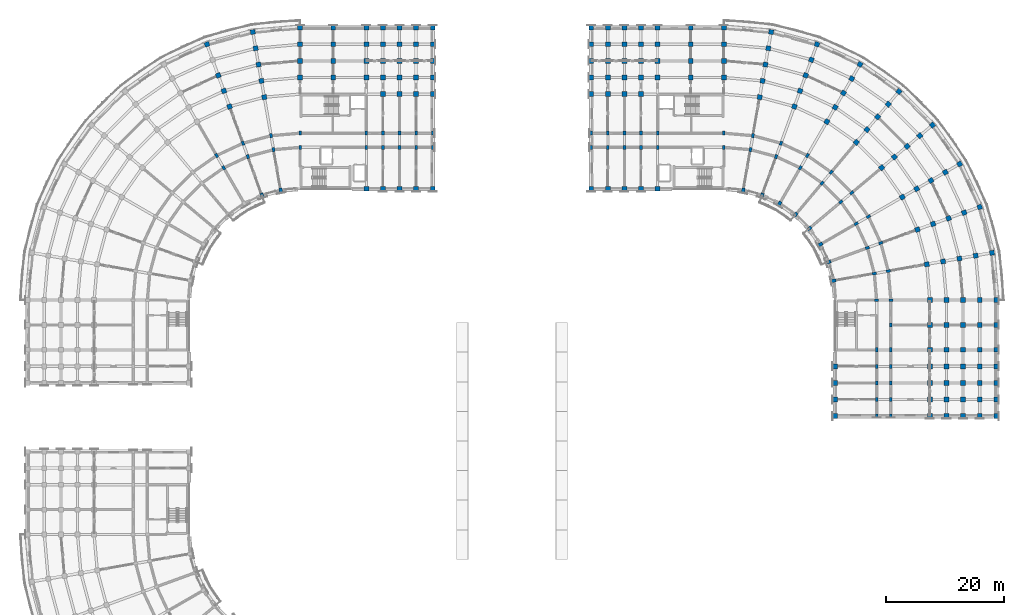
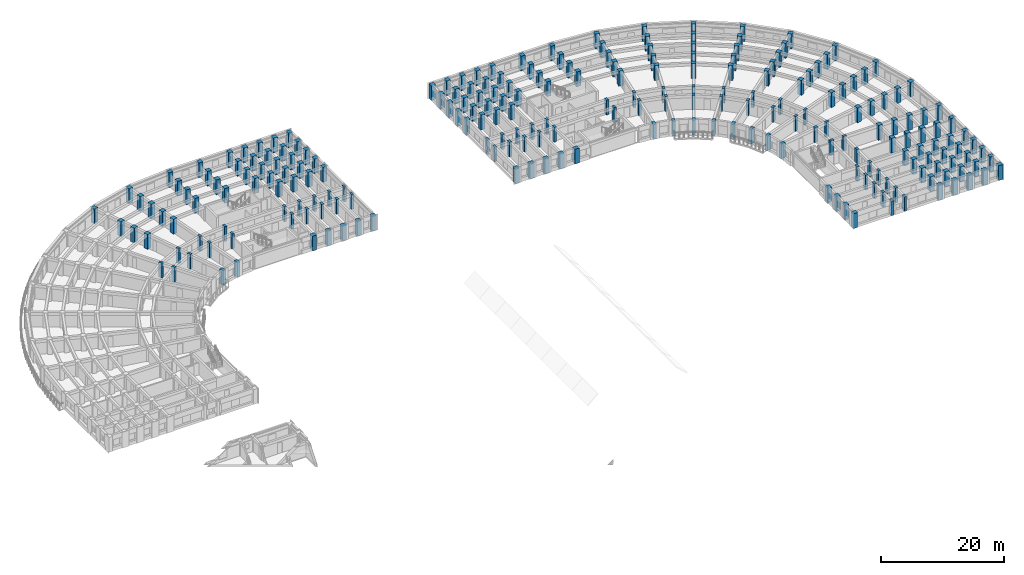
# One storey, part 2 of 54: 231 columns.
"""IFC4 building model written with IfcOpenShell, lengths in metres."""

from ifc_helpers import new_model, si_unit, direction, frame, origin, origin_2d, place, context, subcontext, project, spatial, rectangle, extrude, material, material_profile, profile_set, type_object, element, save


model = new_model("IFC4")

# Units and contexts
model_context = context("Model", 3, precision=1e-05, world=origin(), true_north=direction((0.0, 1.0)))
body_context = subcontext(model_context, "Body", "Model", "MODEL_VIEW")
ifc_project = project(units=[si_unit("LENGTHUNIT", "METRE"), si_unit("AREAUNIT", "SQUARE_METRE"), si_unit("VOLUMEUNIT", "CUBIC_METRE"), si_unit("PLANEANGLEUNIT", "RADIAN"), si_unit("MASSUNIT", "GRAM", prefix="KILO")], contexts=[model_context])

# Site, building, storey
site_placement = place(None, origin())
site = spatial("IfcSite", under=ifc_project, at=site_placement, CompositionType="ELEMENT")
building_placement = place(site_placement, origin())
building = spatial("IfcBuilding", under=site, at=building_placement, Name="Kiranvali Square Residences", CompositionType="ELEMENT")
storey_placement = place(building_placement, frame((0.0, 0.0, 11.85009765625)))
storey = spatial("IfcBuildingStorey", under=building, at=storey_placement, Name="L03", CompositionType="ELEMENT", Elevation=11.85009765625)

# Columns
ifc_material_1 = material(Name="Concrete M45 (45 MPa)", Category="concrete")
ifc_material_profile_1 = material_profile(ifc_material_1, rectangle(XDim=0.449951171875, YDim=0.699951171875, at=origin_2d()), Name="RC 700x450")
ifc_profile_set_1 = profile_set([ifc_material_profile_1], Name="Concrete M45 (45 MPa)")
column_type_1 = type_object("IfcColumnType", Name="COL-M45-700x450", PredefinedType="COLUMN", material=ifc_profile_set_1)
for number, where, z_axis, x_axis, name in (
    (1, (48.199951171875, 113.60009765625, 0.0), (0.0, 0.0, 1.0), (1.0, 0.0, 0.0), "Block A L03 radial column A00-R1"),
    (2, (48.199951171875, 116.0, 0.0), (0.0, 0.0, 1.0), (1.0, 0.0, 0.0), "Block A L03 radial column A00-R2"),
    (3, (43.719970703125, 113.2080078125, 0.0), (0.0, 0.0, 1.0), (0.984807753012, 0.173648177667, 0.0), "Block A L03 radial column A01-R1"),
    (4, (43.30322265625, 115.571533203125, 0.0), (0.0, 0.0, 1.0), (0.984807753012, 0.173648177667, 0.0), "Block A L03 radial column A01-R2"),
    (5, (39.3759765625, 112.044189453125, 0.0), (0.0, 0.0, 1.0), (0.939692620786, 0.342020143326, 0.0), "Block A L03 radial column A02-R1"),
    (6, (38.554931640625, 114.29931640625, 0.0), (0.0, 0.0, 1.0), (0.939692620786, 0.342020143326, 0.0), "Block A L03 radial column A02-R2"),
    (7, (35.300048828125, 110.1435546875, 0.0), (0.0, 0.0, 1.0), (0.866025403784, 0.5, 0.0), "Block A L03 radial column A03-R1"),
    (8, (34.10009765625, 112.221923828125, 0.0), (0.0, 0.0, 1.0), (0.866025403784, 0.5, 0.0), "Block A L03 radial column A03-R2"),
    (9, (59.39990234375, 113.60009765625, 0.0), (0.0, 0.0, 1.0), (1.0, 0.0, 0.0), "Block A L03 Arm 1 column U1-R1"),
    (10, (59.39990234375, 116.0, 0.0), (0.0, 0.0, 1.0), (1.0, 0.0, 0.0), "Block A L03 Arm 1 column U1-R2"),
    (11, (62.199951171875, 113.60009765625, 0.0), (0.0, 0.0, 1.0), (1.0, 0.0, 0.0), "Block A L03 Arm 1 column U2-R1"),
    (12, (62.199951171875, 116.0, 0.0), (0.0, 0.0, 1.0), (1.0, 0.0, 0.0), "Block A L03 Arm 1 column U2-R2"),
    (13, (65.0, 113.60009765625, 0.0), (0.0, 0.0, 1.0), (1.0, 0.0, 0.0), "Block A L03 Arm 1 column U3-R1"),
    (14, (65.0, 116.0, 0.0), (0.0, 0.0, 1.0), (1.0, 0.0, 0.0), "Block A L03 Arm 1 column U3-R2"),
    (15, (67.800048828125, 113.60009765625, 0.0), (0.0, 0.0, 1.0), (1.0, 0.0, 0.0), "Block A L03 Arm 1 column U4-R1"),
    (16, (67.800048828125, 116.0, 0.0), (0.0, 0.0, 1.0), (1.0, 0.0, 0.0), "Block A L03 Arm 1 column U4-R2"),
    (17, (70.60009765625, 113.60009765625, 0.0), (0.0, 0.0, 1.0), (1.0, 0.0, 0.0), "Block A L03 Arm 1 column U5-R1"),
    (18, (70.60009765625, 116.0, 0.0), (0.0, 0.0, 1.0), (1.0, 0.0, 0.0), "Block A L03 Arm 1 column U5-R2"),
    (19, (119.800048828125, 113.60009765625, 0.0), (0.0, 0.0, 1.0), (1.0, 0.0, 0.0), "Block B L03 radial column A00-R1"),
    (20, (119.800048828125, 116.0, 0.0), (0.0, 0.0, 1.0), (1.0, 0.0, 0.0), "Block B L03 radial column A00-R2"),
    (21, (124.280029296875, 113.2080078125, 0.0), (0.0, 0.0, 1.0), (-0.984807753012, 0.173648177667, 0.0), "Block B L03 radial column A01-R1"),
    (22, (124.69677734375, 115.571533203125, 0.0), (0.0, 0.0, 1.0), (-0.984807753012, 0.173648177667, 0.0), "Block B L03 radial column A01-R2"),
    (23, (128.6240234375, 112.044189453125, 0.0), (0.0, 0.0, 1.0), (-0.939692620786, 0.342020143326, 0.0), "Block B L03 radial column A02-R1"),
    (24, (129.445068359375, 114.29931640625, 0.0), (0.0, 0.0, 1.0), (-0.939692620786, 0.342020143326, 0.0), "Block B L03 radial column A02-R2"),
    (25, (132.699951171875, 110.1435546875, 0.0), (0.0, 0.0, 1.0), (-0.866025403784, 0.5, 0.0), "Block B L03 radial column A03-R1"),
    (26, (133.89990234375, 112.221923828125, 0.0), (0.0, 0.0, 1.0), (-0.866025403784, 0.5, 0.0), "Block B L03 radial column A03-R2"),
    (27, (136.384033203125, 107.56396484375, 0.0), (0.0, 0.0, 1.0), (-0.766044443119, 0.642787609687, 0.0), "Block B L03 radial column A04-R1"),
    (28, (137.926513671875, 109.40234375, 0.0), (0.0, 0.0, 1.0), (-0.766044443119, 0.642787609687, 0.0), "Block B L03 radial column A04-R2"),
    (29, (139.56396484375, 104.384033203125, 0.0), (0.0, 0.0, 1.0), (-0.642787609687, 0.766044443119, 0.0), "Block B L03 radial column A05-R1"),
    (30, (141.40234375, 105.926513671875, 0.0), (0.0, 0.0, 1.0), (-0.642787609687, 0.766044443119, 0.0), "Block B L03 radial column A05-R2"),
    (31, (142.1435546875, 100.699951171875, 0.0), (0.0, 0.0, 1.0), (-0.5, 0.866025403784, 0.0), "Block B L03 radial column A06-R1"),
    (32, (144.221923828125, 101.89990234375, 0.0), (0.0, 0.0, 1.0), (-0.5, 0.866025403784, 0.0), "Block B L03 radial column A06-R2"),
    (33, (144.044189453125, 96.6240234375, 0.0), (0.0, 0.0, 1.0), (-0.342020143326, 0.939692620786, 0.0), "Block B L03 radial column A07-R1"),
    (34, (146.29931640625, 97.445068359375, 0.0), (0.0, 0.0, 1.0), (-0.342020143326, 0.939692620786, 0.0), "Block B L03 radial column A07-R2"),
    (35, (145.2080078125, 92.280029296875, 0.0), (0.0, 0.0, 1.0), (-0.173648177667, 0.984807753012, 0.0), "Block B L03 radial column A08-R1"),
    (36, (147.571533203125, 92.69677734375, 0.0), (0.0, 0.0, 1.0), (-0.173648177667, 0.984807753012, 0.0), "Block B L03 radial column A08-R2"),
    (37, (145.60009765625, 87.800048828125, 0.0), (0.0, 0.0, 1.0), (0.0, 1.0, 0.0), "Block B L03 radial column A09-R1"),
    (38, (148.0, 87.800048828125, 0.0), (0.0, 0.0, 1.0), (0.0, 1.0, 0.0), "Block B L03 radial column A09-R2"),
    (39, (108.60009765625, 113.60009765625, 0.0), (0.0, 0.0, 1.0), (1.0, 0.0, 0.0), "Block B L03 Arm 1 column U1-R1"),
    (40, (108.60009765625, 116.0, 0.0), (0.0, 0.0, 1.0), (1.0, 0.0, 0.0), "Block B L03 Arm 1 column U1-R2"),
    (41, (105.800048828125, 113.60009765625, 0.0), (0.0, 0.0, 1.0), (1.0, 0.0, 0.0), "Block B L03 Arm 1 column U2-R1"),
    (42, (105.800048828125, 116.0, 0.0), (0.0, 0.0, 1.0), (1.0, 0.0, 0.0), "Block B L03 Arm 1 column U2-R2"),
    (43, (103.0, 113.60009765625, 0.0), (0.0, 0.0, 1.0), (1.0, 0.0, 0.0), "Block B L03 Arm 1 column U3-R1"),
    (44, (103.0, 116.0, 0.0), (0.0, 0.0, 1.0), (1.0, 0.0, 0.0), "Block B L03 Arm 1 column U3-R2"),
    (45, (100.199951171875, 113.60009765625, 0.0), (0.0, 0.0, 1.0), (1.0, 0.0, 0.0), "Block B L03 Arm 1 column U4-R1"),
    (46, (100.199951171875, 116.0, 0.0), (0.0, 0.0, 1.0), (1.0, 0.0, 0.0), "Block B L03 Arm 1 column U4-R2"),
    (47, (97.39990234375, 113.60009765625, 0.0), (0.0, 0.0, 1.0), (1.0, 0.0, 0.0), "Block B L03 Arm 1 column U5-R1"),
    (48, (97.39990234375, 116.0, 0.0), (0.0, 0.0, 1.0), (1.0, 0.0, 0.0), "Block B L03 Arm 1 column U5-R2"),
    (49, (148.0, 83.60009765625, 0.0), (0.0, 0.0, 1.0), (1.0, 0.0, 0.0), "Block B L03 Arm 2 mid-core column V0-R2"),
    (50, (145.60009765625, 79.39990234375, 0.0), (0.0, 0.0, 1.0), (1.0, 0.0, 0.0), "Block B L03 Arm 2 column V1-R1"),
    (51, (148.0, 79.39990234375, 0.0), (0.0, 0.0, 1.0), (1.0, 0.0, 0.0), "Block B L03 Arm 2 column V1-R2"),
    (52, (145.60009765625, 76.60009765625, 0.0), (0.0, 0.0, 1.0), (1.0, 0.0, 0.0), "Block B L03 Arm 2 column V2-R1"),
    (53, (148.0, 76.60009765625, 0.0), (0.0, 0.0, 1.0), (1.0, 0.0, 0.0), "Block B L03 Arm 2 column V2-R2"),
    (54, (145.60009765625, 73.800048828125, 0.0), (0.0, 0.0, 1.0), (1.0, 0.0, 0.0), "Block B L03 Arm 2 column V3-R1"),
    (55, (148.0, 73.800048828125, 0.0), (0.0, 0.0, 1.0), (1.0, 0.0, 0.0), "Block B L03 Arm 2 column V3-R2"),
    (56, (145.60009765625, 71.0, 0.0), (0.0, 0.0, 1.0), (1.0, 0.0, 0.0), "Block B L03 Arm 2 column V4-R1"),
    (57, (148.0, 71.0, 0.0), (0.0, 0.0, 1.0), (1.0, 0.0, 0.0), "Block B L03 Arm 2 column V4-R2"),
    (58, (145.60009765625, 68.199951171875, 0.0), (0.0, 0.0, 1.0), (1.0, 0.0, 0.0), "Block B L03 Arm 2 column V5-R1"),
    (59, (148.0, 68.199951171875, 0.0), (0.0, 0.0, 1.0), (1.0, 0.0, 0.0), "Block B L03 Arm 2 column V5-R2"),
):
    element("IfcColumn", number, at=place(storey_placement, frame(where, z_axis=z_axis, x_axis=x_axis)), inside=storey, type_object=column_type_1, Name=name, PredefinedType="COLUMN", context=body_context, shape_type="SweptSolid", body=[
        extrude(rectangle(XDim=0.449951171875, YDim=0.699951171875, at=origin_2d()), origin(), (0.0, 0.0, 1.0), 2.929931640625),
    ])
ifc_material_2 = material(Name="Concrete M50 (50 MPa)", Category="concrete")
ifc_material_profile_2 = material_profile(ifc_material_2, rectangle(XDim=0.800048828125, YDim=0.800048828125, at=origin_2d()), Name="RC 800x800")
ifc_profile_set_2 = profile_set([ifc_material_profile_2], Name="Concrete M50 (50 MPa)")
column_type_2 = type_object("IfcColumnType", Name="COL-M50-800", PredefinedType="COLUMN", material=ifc_profile_set_2)
for number, where, z_axis, x_axis, name in (
    (60, (48.199951171875, 125.39990234375, 0.0), (0.0, 0.0, 1.0), (1.0, 0.0, 0.0), "Block A L03 radial column A00-R4"),
    (61, (48.199951171875, 128.199951171875, 0.0), (0.0, 0.0, 1.0), (1.0, 0.0, 0.0), "Block A L03 radial column A00-R5"),
    (62, (48.199951171875, 131.0, 0.0), (0.0, 0.0, 1.0), (1.0, 0.0, 0.0), "Block A L03 radial column A00-R6"),
    (63, (48.199951171875, 133.800048828125, 0.0), (0.0, 0.0, 1.0), (1.0, 0.0, 0.0), "Block A L03 radial column A00-R7"),
    (64, (42.156982421875, 122.0712890625, 0.0), (0.0, 0.0, 1.0), (0.984807753012, 0.173648177667, 0.0), "Block A L03 radial column A01-R3"),
    (65, (41.6708984375, 124.828857421875, 0.0), (0.0, 0.0, 1.0), (0.984807753012, 0.173648177667, 0.0), "Block A L03 radial column A01-R4"),
    (66, (41.1845703125, 127.586181640625, 0.0), (0.0, 0.0, 1.0), (0.984807753012, 0.173648177667, 0.0), "Block A L03 radial column A01-R5"),
    (67, (40.698486328125, 130.34375, 0.0), (0.0, 0.0, 1.0), (0.984807753012, 0.173648177667, 0.0), "Block A L03 radial column A01-R6"),
    (68, (40.212158203125, 133.10107421875, 0.0), (0.0, 0.0, 1.0), (0.984807753012, 0.173648177667, 0.0), "Block A L03 radial column A01-R7"),
    (69, (36.297607421875, 120.501220703125, 0.0), (0.0, 0.0, 1.0), (0.939692620786, 0.342020143326, 0.0), "Block A L03 radial column A02-R3"),
    (70, (35.340087890625, 123.13232421875, 0.0), (0.0, 0.0, 1.0), (0.939692620786, 0.342020143326, 0.0), "Block A L03 radial column A02-R4"),
    (71, (34.38232421875, 125.763671875, 0.0), (0.0, 0.0, 1.0), (0.939692620786, 0.342020143326, 0.0), "Block A L03 radial column A02-R5"),
    (72, (32.467041015625, 131.02587890625, 0.0), (0.0, 0.0, 1.0), (0.939692620786, 0.342020143326, 0.0), "Block A L03 radial column A02-R7"),
    (73, (53.800048828125, 125.39990234375, 0.0), (0.0, 0.0, 1.0), (1.0, 0.0, 0.0), "Block A L03 core-front column U0-R4"),
    (74, (53.800048828125, 128.199951171875, 0.0), (0.0, 0.0, 1.0), (1.0, 0.0, 0.0), "Block A L03 core-front column U0-R5"),
    (75, (53.800048828125, 131.0, 0.0), (0.0, 0.0, 1.0), (1.0, 0.0, 0.0), "Block A L03 core-front column U0-R6"),
    (76, (53.800048828125, 133.800048828125, 0.0), (0.0, 0.0, 1.0), (1.0, 0.0, 0.0), "Block A L03 core-front column U0-R7"),
    (77, (59.39990234375, 106.60009765625, 0.0), (0.0, 0.0, 1.0), (1.0, 0.0, 0.0), "Block A L03 Arm 1 column U1-R0"),
    (78, (59.39990234375, 125.39990234375, 0.0), (0.0, 0.0, 1.0), (1.0, 0.0, 0.0), "Block A L03 Arm 1 column U1-R4"),
    (79, (59.39990234375, 128.199951171875, 0.0), (0.0, 0.0, 1.0), (1.0, 0.0, 0.0), "Block A L03 Arm 1 column U1-R5"),
    (80, (59.39990234375, 131.0, 0.0), (0.0, 0.0, 1.0), (1.0, 0.0, 0.0), "Block A L03 Arm 1 column U1-R6"),
    (81, (59.39990234375, 133.800048828125, 0.0), (0.0, 0.0, 1.0), (1.0, 0.0, 0.0), "Block A L03 Arm 1 column U1-R7"),
    (82, (62.199951171875, 106.60009765625, 0.0), (0.0, 0.0, 1.0), (1.0, 0.0, 0.0), "Block A L03 Arm 1 column U2-R0"),
    (83, (62.199951171875, 122.60009765625, 0.0), (0.0, 0.0, 1.0), (1.0, 0.0, 0.0), "Block A L03 Arm 1 column U2-R3"),
    (84, (62.199951171875, 125.39990234375, 0.0), (0.0, 0.0, 1.0), (1.0, 0.0, 0.0), "Block A L03 Arm 1 column U2-R4"),
    (85, (62.199951171875, 128.199951171875, 0.0), (0.0, 0.0, 1.0), (1.0, 0.0, 0.0), "Block A L03 Arm 1 column U2-R5"),
    (86, (62.199951171875, 131.0, 0.0), (0.0, 0.0, 1.0), (1.0, 0.0, 0.0), "Block A L03 Arm 1 column U2-R6"),
    (87, (62.199951171875, 133.800048828125, 0.0), (0.0, 0.0, 1.0), (1.0, 0.0, 0.0), "Block A L03 Arm 1 column U2-R7"),
    (88, (65.0, 106.60009765625, 0.0), (0.0, 0.0, 1.0), (1.0, 0.0, 0.0), "Block A L03 Arm 1 column U3-R0"),
    (89, (65.0, 122.60009765625, 0.0), (0.0, 0.0, 1.0), (1.0, 0.0, 0.0), "Block A L03 Arm 1 column U3-R3"),
    (90, (65.0, 125.39990234375, 0.0), (0.0, 0.0, 1.0), (1.0, 0.0, 0.0), "Block A L03 Arm 1 column U3-R4"),
    (91, (65.0, 128.199951171875, 0.0), (0.0, 0.0, 1.0), (1.0, 0.0, 0.0), "Block A L03 Arm 1 column U3-R5"),
    (92, (65.0, 131.0, 0.0), (0.0, 0.0, 1.0), (1.0, 0.0, 0.0), "Block A L03 Arm 1 column U3-R6"),
    (93, (65.0, 133.800048828125, 0.0), (0.0, 0.0, 1.0), (1.0, 0.0, 0.0), "Block A L03 Arm 1 column U3-R7"),
    (94, (67.800048828125, 106.60009765625, 0.0), (0.0, 0.0, 1.0), (1.0, 0.0, 0.0), "Block A L03 Arm 1 column U4-R0"),
    (95, (67.800048828125, 122.60009765625, 0.0), (0.0, 0.0, 1.0), (1.0, 0.0, 0.0), "Block A L03 Arm 1 column U4-R3"),
    (96, (67.800048828125, 125.39990234375, 0.0), (0.0, 0.0, 1.0), (1.0, 0.0, 0.0), "Block A L03 Arm 1 column U4-R4"),
    (97, (67.800048828125, 128.199951171875, 0.0), (0.0, 0.0, 1.0), (1.0, 0.0, 0.0), "Block A L03 Arm 1 column U4-R5"),
    (98, (67.800048828125, 131.0, 0.0), (0.0, 0.0, 1.0), (1.0, 0.0, 0.0), "Block A L03 Arm 1 column U4-R6"),
    (99, (67.800048828125, 133.800048828125, 0.0), (0.0, 0.0, 1.0), (1.0, 0.0, 0.0), "Block A L03 Arm 1 column U4-R7"),
    (100, (70.60009765625, 106.60009765625, 0.0), (0.0, 0.0, 1.0), (1.0, 0.0, 0.0), "Block A L03 Arm 1 column U5-R0"),
    (101, (70.60009765625, 122.60009765625, 0.0), (0.0, 0.0, 1.0), (1.0, 0.0, 0.0), "Block A L03 Arm 1 column U5-R3"),
    (102, (70.60009765625, 125.39990234375, 0.0), (0.0, 0.0, 1.0), (1.0, 0.0, 0.0), "Block A L03 Arm 1 column U5-R4"),
    (103, (70.60009765625, 128.199951171875, 0.0), (0.0, 0.0, 1.0), (1.0, 0.0, 0.0), "Block A L03 Arm 1 column U5-R5"),
    (104, (70.60009765625, 131.0, 0.0), (0.0, 0.0, 1.0), (1.0, 0.0, 0.0), "Block A L03 Arm 1 column U5-R6"),
    (105, (70.60009765625, 133.800048828125, 0.0), (0.0, 0.0, 1.0), (1.0, 0.0, 0.0), "Block A L03 Arm 1 column U5-R7"),
    (106, (119.800048828125, 125.39990234375, 0.0), (0.0, 0.0, 1.0), (1.0, 0.0, 0.0), "Block B L03 radial column A00-R4"),
    (107, (119.800048828125, 128.199951171875, 0.0), (0.0, 0.0, 1.0), (1.0, 0.0, 0.0), "Block B L03 radial column A00-R5"),
    (108, (119.800048828125, 131.0, 0.0), (0.0, 0.0, 1.0), (1.0, 0.0, 0.0), "Block B L03 radial column A00-R6"),
    (109, (119.800048828125, 133.800048828125, 0.0), (0.0, 0.0, 1.0), (1.0, 0.0, 0.0), "Block B L03 radial column A00-R7"),
    (110, (125.843017578125, 122.0712890625, 0.0), (0.0, 0.0, 1.0), (-0.984807753012, 0.173648177667, 0.0), "Block B L03 radial column A01-R3"),
    (111, (126.3291015625, 124.828857421875, 0.0), (0.0, 0.0, 1.0), (-0.984807753012, 0.173648177667, 0.0), "Block B L03 radial column A01-R4"),
    (112, (126.8154296875, 127.586181640625, 0.0), (0.0, 0.0, 1.0), (-0.984807753012, 0.173648177667, 0.0), "Block B L03 radial column A01-R5"),
    (113, (127.301513671875, 130.34375, 0.0), (0.0, 0.0, 1.0), (-0.984807753012, 0.173648177667, 0.0), "Block B L03 radial column A01-R6"),
    (114, (127.787841796875, 133.10107421875, 0.0), (0.0, 0.0, 1.0), (-0.984807753012, 0.173648177667, 0.0), "Block B L03 radial column A01-R7"),
    (115, (131.702392578125, 120.501220703125, 0.0), (0.0, 0.0, 1.0), (-0.939692620786, 0.342020143326, 0.0), "Block B L03 radial column A02-R3"),
    (116, (132.659912109375, 123.13232421875, 0.0), (0.0, 0.0, 1.0), (-0.939692620786, 0.342020143326, 0.0), "Block B L03 radial column A02-R4"),
    (117, (133.61767578125, 125.763671875, 0.0), (0.0, 0.0, 1.0), (-0.939692620786, 0.342020143326, 0.0), "Block B L03 radial column A02-R5"),
    (118, (134.5751953125, 128.394775390625, 0.0), (0.0, 0.0, 1.0), (-0.939692620786, 0.342020143326, 0.0), "Block B L03 radial column A02-R6"),
    (119, (135.532958984375, 131.02587890625, 0.0), (0.0, 0.0, 1.0), (-0.939692620786, 0.342020143326, 0.0), "Block B L03 radial column A02-R7"),
    (120, (137.199951171875, 117.937744140625, 0.0), (0.0, 0.0, 1.0), (-0.866025403784, 0.5, 0.0), "Block B L03 radial column A03-R3"),
    (121, (138.60009765625, 120.362548828125, 0.0), (0.0, 0.0, 1.0), (-0.866025403784, 0.5, 0.0), "Block B L03 radial column A03-R4"),
    (122, (140.0, 122.787353515625, 0.0), (0.0, 0.0, 1.0), (-0.866025403784, 0.5, 0.0), "Block B L03 radial column A03-R5"),
    (123, (141.39990234375, 125.21240234375, 0.0), (0.0, 0.0, 1.0), (-0.866025403784, 0.5, 0.0), "Block B L03 radial column A03-R6"),
    (124, (142.800048828125, 127.63720703125, 0.0), (0.0, 0.0, 1.0), (-0.866025403784, 0.5, 0.0), "Block B L03 radial column A03-R7"),
    (125, (142.1689453125, 114.458251953125, 0.0), (0.0, 0.0, 1.0), (-0.766044443119, 0.642787609687, 0.0), "Block B L03 radial column A04-R3"),
    (126, (143.96875, 116.603271484375, 0.0), (0.0, 0.0, 1.0), (-0.766044443119, 0.642787609687, 0.0), "Block B L03 radial column A04-R4"),
    (127, (145.7685546875, 118.748291015625, 0.0), (0.0, 0.0, 1.0), (-0.766044443119, 0.642787609687, 0.0), "Block B L03 radial column A04-R5"),
    (128, (147.568359375, 120.89306640625, 0.0), (0.0, 0.0, 1.0), (-0.766044443119, 0.642787609687, 0.0), "Block B L03 radial column A04-R6"),
    (129, (149.3681640625, 123.0380859375, 0.0), (0.0, 0.0, 1.0), (-0.766044443119, 0.642787609687, 0.0), "Block B L03 radial column A04-R7"),
    (130, (146.458251953125, 110.1689453125, 0.0), (0.0, 0.0, 1.0), (-0.642787609687, 0.766044443119, 0.0), "Block B L03 radial column A05-R3"),
    (131, (148.603271484375, 111.96875, 0.0), (0.0, 0.0, 1.0), (-0.642787609687, 0.766044443119, 0.0), "Block B L03 radial column A05-R4"),
    (132, (150.748291015625, 113.7685546875, 0.0), (0.0, 0.0, 1.0), (-0.642787609687, 0.766044443119, 0.0), "Block B L03 radial column A05-R5"),
    (133, (152.89306640625, 115.568359375, 0.0), (0.0, 0.0, 1.0), (-0.642787609687, 0.766044443119, 0.0), "Block B L03 radial column A05-R6"),
    (134, (155.0380859375, 117.3681640625, 0.0), (0.0, 0.0, 1.0), (-0.642787609687, 0.766044443119, 0.0), "Block B L03 radial column A05-R7"),
    (135, (149.937744140625, 105.199951171875, 0.0), (0.0, 0.0, 1.0), (-0.5, 0.866025403784, 0.0), "Block B L03 radial column A06-R3"),
    (136, (152.362548828125, 106.60009765625, 0.0), (0.0, 0.0, 1.0), (-0.5, 0.866025403784, 0.0), "Block B L03 radial column A06-R4"),
    (137, (154.787353515625, 108.0, 0.0), (0.0, 0.0, 1.0), (-0.5, 0.866025403784, 0.0), "Block B L03 radial column A06-R5"),
    (138, (157.21240234375, 109.39990234375, 0.0), (0.0, 0.0, 1.0), (-0.5, 0.866025403784, 0.0), "Block B L03 radial column A06-R6"),
    (139, (159.63720703125, 110.800048828125, 0.0), (0.0, 0.0, 1.0), (-0.5, 0.866025403784, 0.0), "Block B L03 radial column A06-R7"),
    (140, (152.501220703125, 99.702392578125, 0.0), (0.0, 0.0, 1.0), (-0.342020143326, 0.939692620786, 0.0), "Block B L03 radial column A07-R3"),
    (141, (155.13232421875, 100.659912109375, 0.0), (0.0, 0.0, 1.0), (-0.342020143326, 0.939692620786, 0.0), "Block B L03 radial column A07-R4"),
    (142, (157.763671875, 101.61767578125, 0.0), (0.0, 0.0, 1.0), (-0.342020143326, 0.939692620786, 0.0), "Block B L03 radial column A07-R5"),
    (143, (160.394775390625, 102.5751953125, 0.0), (0.0, 0.0, 1.0), (-0.342020143326, 0.939692620786, 0.0), "Block B L03 radial column A07-R6"),
    (144, (163.02587890625, 103.532958984375, 0.0), (0.0, 0.0, 1.0), (-0.342020143326, 0.939692620786, 0.0), "Block B L03 radial column A07-R7"),
    (145, (154.0712890625, 93.843017578125, 0.0), (0.0, 0.0, 1.0), (-0.173648177667, 0.984807753012, 0.0), "Block B L03 radial column A08-R3"),
    (146, (156.828857421875, 94.3291015625, 0.0), (0.0, 0.0, 1.0), (-0.173648177667, 0.984807753012, 0.0), "Block B L03 radial column A08-R4"),
    (147, (159.586181640625, 94.8154296875, 0.0), (0.0, 0.0, 1.0), (-0.173648177667, 0.984807753012, 0.0), "Block B L03 radial column A08-R5"),
    (148, (162.34375, 95.301513671875, 0.0), (0.0, 0.0, 1.0), (-0.173648177667, 0.984807753012, 0.0), "Block B L03 radial column A08-R6"),
    (149, (165.10107421875, 95.787841796875, 0.0), (0.0, 0.0, 1.0), (-0.173648177667, 0.984807753012, 0.0), "Block B L03 radial column A08-R7"),
    (150, (154.60009765625, 87.800048828125, 0.0), (0.0, 0.0, 1.0), (0.0, 1.0, 0.0), "Block B L03 radial column A09-R3"),
    (151, (157.39990234375, 87.800048828125, 0.0), (0.0, 0.0, 1.0), (0.0, 1.0, 0.0), "Block B L03 radial column A09-R4"),
    (152, (160.199951171875, 87.800048828125, 0.0), (0.0, 0.0, 1.0), (0.0, 1.0, 0.0), "Block B L03 radial column A09-R5"),
    (153, (163.0, 87.800048828125, 0.0), (0.0, 0.0, 1.0), (0.0, 1.0, 0.0), "Block B L03 radial column A09-R6"),
    (154, (165.800048828125, 87.800048828125, 0.0), (0.0, 0.0, 1.0), (0.0, 1.0, 0.0), "Block B L03 radial column A09-R7"),
    (155, (114.199951171875, 125.39990234375, 0.0), (0.0, 0.0, 1.0), (1.0, 0.0, 0.0), "Block B L03 core-front column U0-R4"),
    (156, (114.199951171875, 128.199951171875, 0.0), (0.0, 0.0, 1.0), (1.0, 0.0, 0.0), "Block B L03 core-front column U0-R5"),
    (157, (114.199951171875, 131.0, 0.0), (0.0, 0.0, 1.0), (1.0, 0.0, 0.0), "Block B L03 core-front column U0-R6"),
    (158, (114.199951171875, 133.800048828125, 0.0), (0.0, 0.0, 1.0), (1.0, 0.0, 0.0), "Block B L03 core-front column U0-R7"),
    (159, (108.60009765625, 106.60009765625, 0.0), (0.0, 0.0, 1.0), (1.0, 0.0, 0.0), "Block B L03 Arm 1 column U1-R0"),
    (160, (108.60009765625, 125.39990234375, 0.0), (0.0, 0.0, 1.0), (1.0, 0.0, 0.0), "Block B L03 Arm 1 column U1-R4"),
    (161, (108.60009765625, 128.199951171875, 0.0), (0.0, 0.0, 1.0), (1.0, 0.0, 0.0), "Block B L03 Arm 1 column U1-R5"),
    (162, (108.60009765625, 131.0, 0.0), (0.0, 0.0, 1.0), (1.0, 0.0, 0.0), "Block B L03 Arm 1 column U1-R6"),
    (163, (108.60009765625, 133.800048828125, 0.0), (0.0, 0.0, 1.0), (1.0, 0.0, 0.0), "Block B L03 Arm 1 column U1-R7"),
    (164, (105.800048828125, 106.60009765625, 0.0), (0.0, 0.0, 1.0), (1.0, 0.0, 0.0), "Block B L03 Arm 1 column U2-R0"),
    (165, (105.800048828125, 122.60009765625, 0.0), (0.0, 0.0, 1.0), (1.0, 0.0, 0.0), "Block B L03 Arm 1 column U2-R3"),
    (166, (105.800048828125, 125.39990234375, 0.0), (0.0, 0.0, 1.0), (1.0, 0.0, 0.0), "Block B L03 Arm 1 column U2-R4"),
    (167, (105.800048828125, 128.199951171875, 0.0), (0.0, 0.0, 1.0), (1.0, 0.0, 0.0), "Block B L03 Arm 1 column U2-R5"),
    (168, (105.800048828125, 131.0, 0.0), (0.0, 0.0, 1.0), (1.0, 0.0, 0.0), "Block B L03 Arm 1 column U2-R6"),
    (169, (105.800048828125, 133.800048828125, 0.0), (0.0, 0.0, 1.0), (1.0, 0.0, 0.0), "Block B L03 Arm 1 column U2-R7"),
    (170, (103.0, 106.60009765625, 0.0), (0.0, 0.0, 1.0), (1.0, 0.0, 0.0), "Block B L03 Arm 1 column U3-R0"),
    (171, (103.0, 122.60009765625, 0.0), (0.0, 0.0, 1.0), (1.0, 0.0, 0.0), "Block B L03 Arm 1 column U3-R3"),
    (172, (103.0, 125.39990234375, 0.0), (0.0, 0.0, 1.0), (1.0, 0.0, 0.0), "Block B L03 Arm 1 column U3-R4"),
    (173, (103.0, 128.199951171875, 0.0), (0.0, 0.0, 1.0), (1.0, 0.0, 0.0), "Block B L03 Arm 1 column U3-R5"),
    (174, (103.0, 131.0, 0.0), (0.0, 0.0, 1.0), (1.0, 0.0, 0.0), "Block B L03 Arm 1 column U3-R6"),
    (175, (103.0, 133.800048828125, 0.0), (0.0, 0.0, 1.0), (1.0, 0.0, 0.0), "Block B L03 Arm 1 column U3-R7"),
    (176, (100.199951171875, 106.60009765625, 0.0), (0.0, 0.0, 1.0), (1.0, 0.0, 0.0), "Block B L03 Arm 1 column U4-R0"),
    (177, (100.199951171875, 122.60009765625, 0.0), (0.0, 0.0, 1.0), (1.0, 0.0, 0.0), "Block B L03 Arm 1 column U4-R3"),
    (178, (100.199951171875, 125.39990234375, 0.0), (0.0, 0.0, 1.0), (1.0, 0.0, 0.0), "Block B L03 Arm 1 column U4-R4"),
    (179, (100.199951171875, 128.199951171875, 0.0), (0.0, 0.0, 1.0), (1.0, 0.0, 0.0), "Block B L03 Arm 1 column U4-R5"),
    (180, (100.199951171875, 131.0, 0.0), (0.0, 0.0, 1.0), (1.0, 0.0, 0.0), "Block B L03 Arm 1 column U4-R6"),
    (181, (100.199951171875, 133.800048828125, 0.0), (0.0, 0.0, 1.0), (1.0, 0.0, 0.0), "Block B L03 Arm 1 column U4-R7"),
    (182, (97.39990234375, 106.60009765625, 0.0), (0.0, 0.0, 1.0), (1.0, 0.0, 0.0), "Block B L03 Arm 1 column U5-R0"),
    (183, (97.39990234375, 122.60009765625, 0.0), (0.0, 0.0, 1.0), (1.0, 0.0, 0.0), "Block B L03 Arm 1 column U5-R3"),
    (184, (97.39990234375, 125.39990234375, 0.0), (0.0, 0.0, 1.0), (1.0, 0.0, 0.0), "Block B L03 Arm 1 column U5-R4"),
    (185, (97.39990234375, 128.199951171875, 0.0), (0.0, 0.0, 1.0), (1.0, 0.0, 0.0), "Block B L03 Arm 1 column U5-R5"),
    (186, (97.39990234375, 131.0, 0.0), (0.0, 0.0, 1.0), (1.0, 0.0, 0.0), "Block B L03 Arm 1 column U5-R6"),
    (187, (97.39990234375, 133.800048828125, 0.0), (0.0, 0.0, 1.0), (1.0, 0.0, 0.0), "Block B L03 Arm 1 column U5-R7"),
    (188, (154.60009765625, 83.60009765625, 0.0), (0.0, 0.0, 1.0), (1.0, 0.0, 0.0), "Block B L03 Arm 2 mid-core column V0-R3"),
    (189, (157.39990234375, 83.60009765625, 0.0), (0.0, 0.0, 1.0), (1.0, 0.0, 0.0), "Block B L03 Arm 2 mid-core column V0-R4"),
    (190, (160.199951171875, 83.60009765625, 0.0), (0.0, 0.0, 1.0), (1.0, 0.0, 0.0), "Block B L03 Arm 2 mid-core column V0-R5"),
    (191, (163.0, 83.60009765625, 0.0), (0.0, 0.0, 1.0), (1.0, 0.0, 0.0), "Block B L03 Arm 2 mid-core column V0-R6"),
    (192, (165.800048828125, 83.60009765625, 0.0), (0.0, 0.0, 1.0), (1.0, 0.0, 0.0), "Block B L03 Arm 2 mid-core column V0-R7"),
    (193, (154.60009765625, 79.39990234375, 0.0), (0.0, 0.0, 1.0), (1.0, 0.0, 0.0), "Block B L03 Arm 2 column V1-R3"),
    (194, (157.39990234375, 79.39990234375, 0.0), (0.0, 0.0, 1.0), (1.0, 0.0, 0.0), "Block B L03 Arm 2 column V1-R4"),
    (195, (160.199951171875, 79.39990234375, 0.0), (0.0, 0.0, 1.0), (1.0, 0.0, 0.0), "Block B L03 Arm 2 column V1-R5"),
    (196, (163.0, 79.39990234375, 0.0), (0.0, 0.0, 1.0), (1.0, 0.0, 0.0), "Block B L03 Arm 2 column V1-R6"),
    (197, (165.800048828125, 79.39990234375, 0.0), (0.0, 0.0, 1.0), (1.0, 0.0, 0.0), "Block B L03 Arm 2 column V1-R7"),
    (198, (138.60009765625, 76.60009765625, 0.0), (0.0, 0.0, 1.0), (1.0, 0.0, 0.0), "Block B L03 Arm 2 column V2-R0"),
    (199, (154.60009765625, 76.60009765625, 0.0), (0.0, 0.0, 1.0), (1.0, 0.0, 0.0), "Block B L03 Arm 2 column V2-R3"),
    (200, (157.39990234375, 76.60009765625, 0.0), (0.0, 0.0, 1.0), (1.0, 0.0, 0.0), "Block B L03 Arm 2 column V2-R4"),
    (201, (160.199951171875, 76.60009765625, 0.0), (0.0, 0.0, 1.0), (1.0, 0.0, 0.0), "Block B L03 Arm 2 column V2-R5"),
    (202, (163.0, 76.60009765625, 0.0), (0.0, 0.0, 1.0), (1.0, 0.0, 0.0), "Block B L03 Arm 2 column V2-R6"),
    (203, (165.800048828125, 76.60009765625, 0.0), (0.0, 0.0, 1.0), (1.0, 0.0, 0.0), "Block B L03 Arm 2 column V2-R7"),
    (204, (138.60009765625, 73.800048828125, 0.0), (0.0, 0.0, 1.0), (1.0, 0.0, 0.0), "Block B L03 Arm 2 column V3-R0"),
    (205, (154.60009765625, 73.800048828125, 0.0), (0.0, 0.0, 1.0), (1.0, 0.0, 0.0), "Block B L03 Arm 2 column V3-R3"),
    (206, (157.39990234375, 73.800048828125, 0.0), (0.0, 0.0, 1.0), (1.0, 0.0, 0.0), "Block B L03 Arm 2 column V3-R4"),
    (207, (160.199951171875, 73.800048828125, 0.0), (0.0, 0.0, 1.0), (1.0, 0.0, 0.0), "Block B L03 Arm 2 column V3-R5"),
    (208, (163.0, 73.800048828125, 0.0), (0.0, 0.0, 1.0), (1.0, 0.0, 0.0), "Block B L03 Arm 2 column V3-R6"),
    (209, (165.800048828125, 73.800048828125, 0.0), (0.0, 0.0, 1.0), (1.0, 0.0, 0.0), "Block B L03 Arm 2 column V3-R7"),
    (210, (138.60009765625, 71.0, 0.0), (0.0, 0.0, 1.0), (1.0, 0.0, 0.0), "Block B L03 Arm 2 column V4-R0"),
    (211, (154.60009765625, 71.0, 0.0), (0.0, 0.0, 1.0), (1.0, 0.0, 0.0), "Block B L03 Arm 2 column V4-R3"),
    (212, (157.39990234375, 71.0, 0.0), (0.0, 0.0, 1.0), (1.0, 0.0, 0.0), "Block B L03 Arm 2 column V4-R4"),
    (213, (160.199951171875, 71.0, 0.0), (0.0, 0.0, 1.0), (1.0, 0.0, 0.0), "Block B L03 Arm 2 column V4-R5"),
    (214, (163.0, 71.0, 0.0), (0.0, 0.0, 1.0), (1.0, 0.0, 0.0), "Block B L03 Arm 2 column V4-R6"),
    (215, (165.800048828125, 71.0, 0.0), (0.0, 0.0, 1.0), (1.0, 0.0, 0.0), "Block B L03 Arm 2 column V4-R7"),
    (216, (138.60009765625, 68.199951171875, 0.0), (0.0, 0.0, 1.0), (1.0, 0.0, 0.0), "Block B L03 Arm 2 column V5-R0"),
    (217, (154.60009765625, 68.199951171875, 0.0), (0.0, 0.0, 1.0), (1.0, 0.0, 0.0), "Block B L03 Arm 2 column V5-R3"),
    (218, (157.39990234375, 68.199951171875, 0.0), (0.0, 0.0, 1.0), (1.0, 0.0, 0.0), "Block B L03 Arm 2 column V5-R4"),
    (219, (160.199951171875, 68.199951171875, 0.0), (0.0, 0.0, 1.0), (1.0, 0.0, 0.0), "Block B L03 Arm 2 column V5-R5"),
    (220, (163.0, 68.199951171875, 0.0), (0.0, 0.0, 1.0), (1.0, 0.0, 0.0), "Block B L03 Arm 2 column V5-R6"),
    (221, (165.800048828125, 68.199951171875, 0.0), (0.0, 0.0, 1.0), (1.0, 0.0, 0.0), "Block B L03 Arm 2 column V5-R7"),
):
    element("IfcColumn", number, at=place(storey_placement, frame(where, z_axis=z_axis, x_axis=x_axis)), inside=storey, type_object=column_type_2, Name=name, PredefinedType="COLUMN", context=body_context, shape_type="SweptSolid", body=[
        extrude(rectangle(XDim=0.800048828125, YDim=0.800048828125, at=origin_2d()), origin(), (0.0, 0.0, 1.0), 2.929931640625),
    ])
ifc_material_profile_3 = material_profile(ifc_material_2, rectangle(XDim=0.550048828125, YDim=0.85009765625, at=origin_2d()), Name="RC 850x550")
ifc_profile_set_3 = profile_set([ifc_material_profile_3], Name="Concrete M50 (50 MPa)")
column_type_3 = type_object("IfcColumnType", Name="COL-M50-850x550", PredefinedType="COLUMN", material=ifc_profile_set_3)
for number, where, z_axis, x_axis, name in (
    (222, (44.935302734375, 106.314453125, 0.0), (0.0, 0.0, 1.0), (0.984807753012, 0.173648177667, 0.0), "Block A L03 radial column A01-R0"),
    (223, (41.77001953125, 105.46630859375, 0.0), (0.0, 0.0, 1.0), (0.939692620786, 0.342020143326, 0.0), "Block A L03 radial column A02-R0"),
    (224, (123.064697265625, 106.314453125, 0.0), (0.0, 0.0, 1.0), (-0.984807753012, 0.173648177667, 0.0), "Block B L03 radial column A01-R0"),
    (225, (126.22998046875, 105.46630859375, 0.0), (0.0, 0.0, 1.0), (-0.939692620786, 0.342020143326, 0.0), "Block B L03 radial column A02-R0"),
    (226, (129.199951171875, 104.081298828125, 0.0), (0.0, 0.0, 1.0), (-0.866025403784, 0.5, 0.0), "Block B L03 radial column A03-R0"),
    (227, (131.884521484375, 102.20166015625, 0.0), (0.0, 0.0, 1.0), (-0.766044443119, 0.642787609687, 0.0), "Block B L03 radial column A04-R0"),
    (228, (134.20166015625, 99.884521484375, 0.0), (0.0, 0.0, 1.0), (-0.642787609687, 0.766044443119, 0.0), "Block B L03 radial column A05-R0"),
    (229, (136.081298828125, 97.199951171875, 0.0), (0.0, 0.0, 1.0), (-0.5, 0.866025403784, 0.0), "Block B L03 radial column A06-R0"),
    (230, (137.46630859375, 94.22998046875, 0.0), (0.0, 0.0, 1.0), (-0.342020143326, 0.939692620786, 0.0), "Block B L03 radial column A07-R0"),
    (231, (138.314453125, 91.064697265625, 0.0), (0.0, 0.0, 1.0), (-0.173648177667, 0.984807753012, 0.0), "Block B L03 radial column A08-R0"),
):
    element("IfcColumn", number, at=place(storey_placement, frame(where, z_axis=z_axis, x_axis=x_axis)), inside=storey, type_object=column_type_3, Name=name, PredefinedType="COLUMN", context=body_context, shape_type="SweptSolid", body=[
        extrude(rectangle(XDim=0.550048828125, YDim=0.85009765625, at=origin_2d()), origin(), (0.0, 0.0, 1.0), 2.929931640625),
    ])

save(model, "model.ifc")
